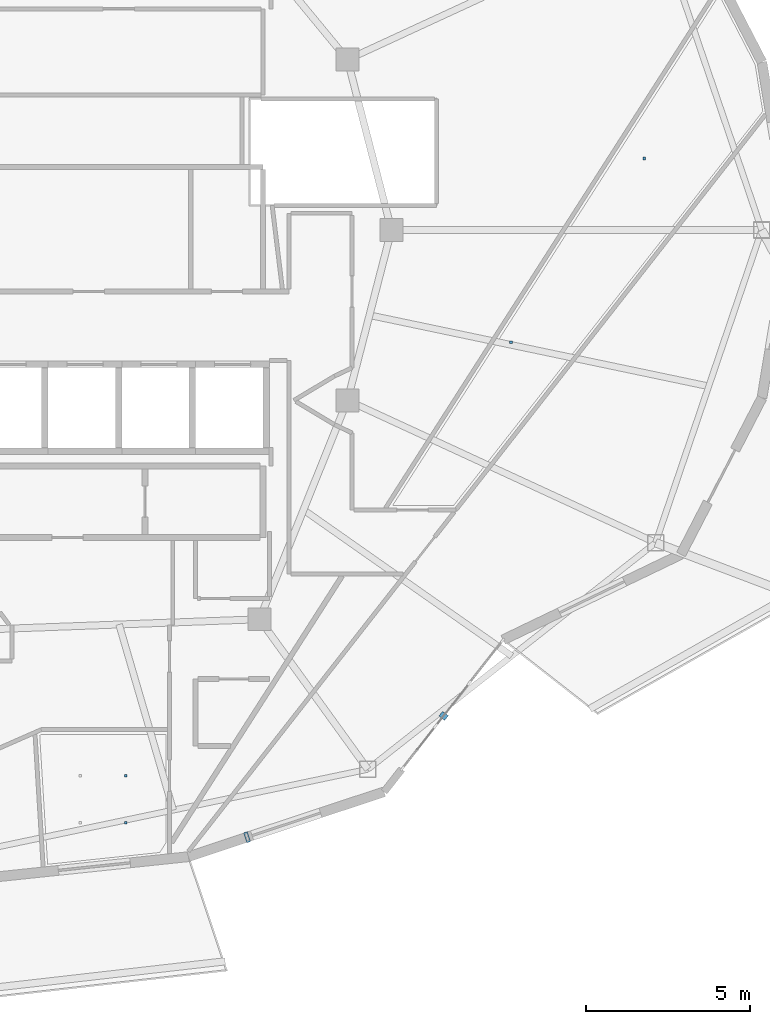
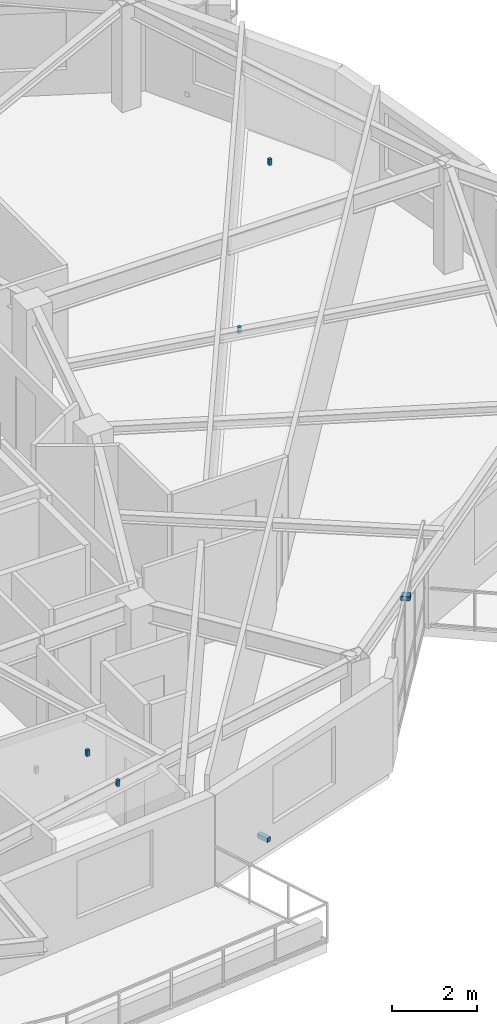
# One storey, part 14 of 19: 6 discrete accessories.
"""IFC4 building model written with IfcOpenShell, lengths in metres."""

from ifc_helpers import new_model, si_unit, direction, frame, origin, origin_2d, place, context, subcontext, project, spatial, rectangle, extrude, material, type_object, element, save


model = new_model("IFC4")

# Units and contexts
model_context = context("Model", 3, precision=1e-05, world=origin(), true_north=direction((0.0, 1.0)))
body_context = subcontext(model_context, "Body", "Model", "MODEL_VIEW")
ifc_project = project(units=[si_unit("LENGTHUNIT", "METRE"), si_unit("AREAUNIT", "SQUARE_METRE"), si_unit("VOLUMEUNIT", "CUBIC_METRE"), si_unit("PLANEANGLEUNIT", "RADIAN"), si_unit("MASSUNIT", "GRAM", prefix="KILO")], contexts=[model_context])

# Site, building, storey
site_placement = place(None, origin())
site = spatial("IfcSite", under=ifc_project, at=site_placement, CompositionType="ELEMENT")
building_placement = place(site_placement, origin())
building = spatial("IfcBuilding", under=site, at=building_placement, Name="Kolvaren Gate Tower and Convention Centre", CompositionType="ELEMENT")
storey_placement = place(building_placement, frame((0.0, 0.0, 212.89990234375)))
storey = spatial("IfcBuildingStorey", under=building, at=storey_placement, Name="L56", CompositionType="ELEMENT", Elevation=212.89990234375)

# Discrete accessories
ifc_material_1 = material(Name="Anodized Architectural Aluminium Alloy 6063-T6", Category="aluminium")
discrete_accessory_type_1 = type_object("IfcDiscreteAccessoryType", Name="ARCH-ACC-BRACKET-120", PredefinedType="BRACKET", material=ifc_material_1)
discrete_accessory_1_placement = place(storey_placement, frame((38.319091796875, 8.46728515625, 0.2900390625), z_axis=(0.0, 0.0, 1.0), x_axis=(0.949241728595, 0.314547517385, 0.0)))
element("IfcDiscreteAccessory", 1, at=discrete_accessory_1_placement, inside=storey, type_object=discrete_accessory_type_1, Name="Ceramic Fin Wall Anchor Bracket FBK-L56-19", PredefinedType="BRACKET", context=body_context, shape_type="SweptSolid", body=[
    extrude(rectangle(XDim=0.1201171875, YDim=0.320068359375, at=origin_2d()), origin(), (0.0, 0.0, 1.0), 0.1201171875),
])
discrete_accessory_2_placement = place(storey_placement, frame((44.316162109375, 12.172607421875, 2.85009765625), z_axis=(0.0, 0.0, 1.0), x_axis=(0.616434119112, 0.787406487651, 0.0)))
element("IfcDiscreteAccessory", 2, at=discrete_accessory_2_placement, inside=storey, type_object=discrete_accessory_type_1, Name="Solar Screen Spandrel Anchor Bracket BK-L56-20", PredefinedType="BRACKET", context=body_context, shape_type="SweptSolid", body=[
    extrude(rectangle(XDim=0.179931640625, YDim=0.219970703125, at=origin_2d()), origin(), (0.0, 0.0, 1.0), 0.1201171875),
])
ifc_material_2 = material(Name="Brushed Stainless Steel Grade 316L", Category="steel")
discrete_accessory_type_2 = type_object("IfcDiscreteAccessoryType", Name="ARCH-ACC-HANGER-80", PredefinedType="BRACKET", material=ifc_material_2)
for number, where, z_axis, x_axis, name in (
    (3, (34.610107421875, 8.912109375, 2.85009765625), (0.0, 0.0, 1.0), (1.0, 0.0, 0.0), "Apartment Bedroom (APT-L56-01) Ceiling Suspension Hanger Clip 2"),
    (4, (34.610107421875, 10.340087890625, 2.85009765625), (0.0, 0.0, 1.0), (1.0, 0.0, 0.0), "Apartment Bedroom (APT-L56-01) Ceiling Suspension Hanger Clip 4"),
    (5, (46.373046875, 23.574951171875, 2.85009765625), (0.0, 0.0, 1.0), (1.0, 0.0, 0.0), "Resident Quiet Study Office Ceiling Suspension Hanger Clip 1"),
    (6, (50.44091796875, 29.18310546875, 2.85009765625), (0.0, 0.0, 1.0), (1.0, 0.0, 0.0), "Resident Quiet Study Office Ceiling Suspension Hanger Clip 2"),
):
    element("IfcDiscreteAccessory", number, at=place(storey_placement, frame(where, z_axis=z_axis, x_axis=x_axis)), inside=storey, type_object=discrete_accessory_type_2, Name=name, PredefinedType="BRACKET", context=body_context, shape_type="SweptSolid", body=[
        extrude(rectangle(XDim=0.080078125, YDim=0.080078125, at=origin_2d()), origin(), (0.0, 0.0, 1.0), 0.179931640625),
    ])

save(model, "model.ifc")
